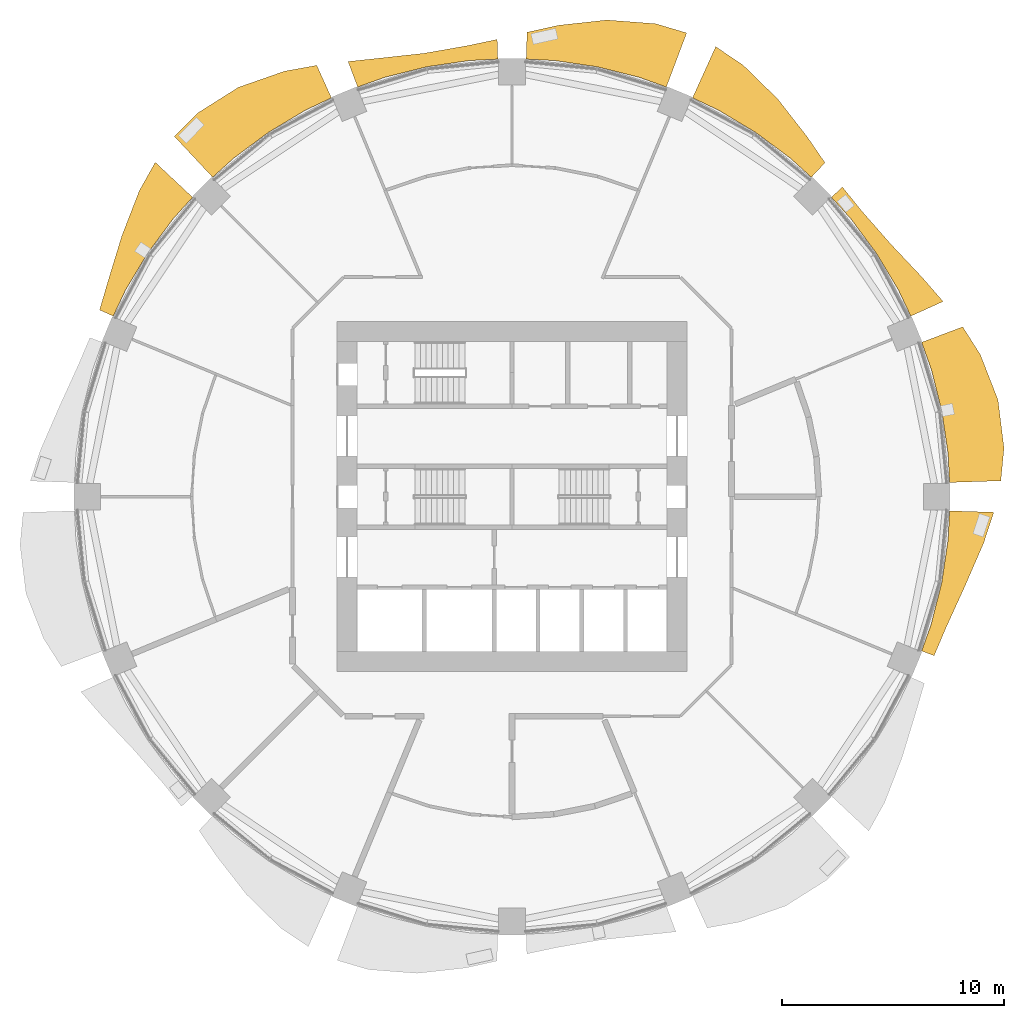
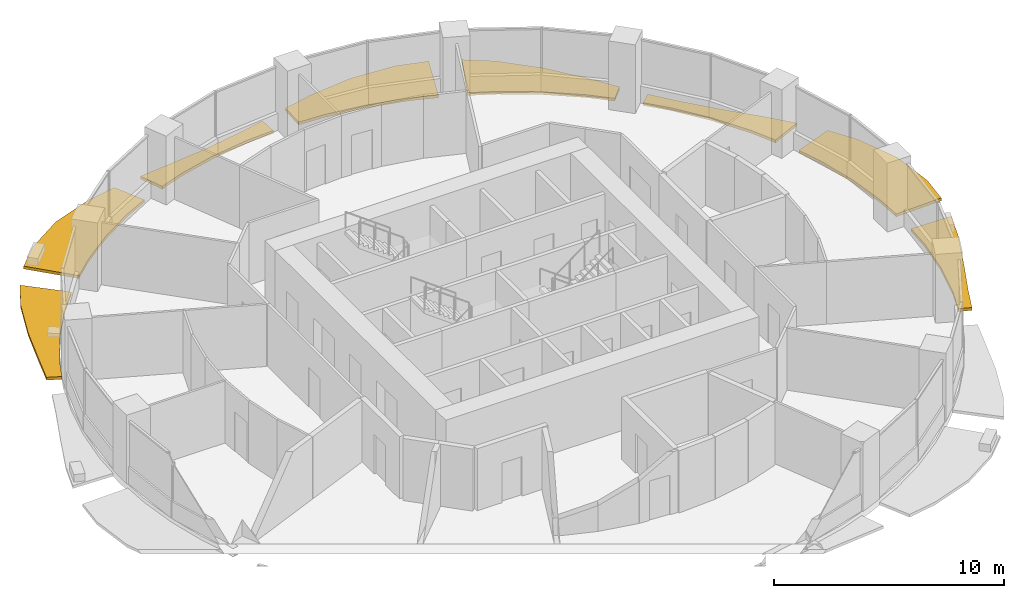
# One storey, part 14 of 15: 8 shading devices.
"""IFC4 building model written with IfcOpenShell, lengths in metres."""

from ifc_helpers import new_model, si_unit, direction, frame, origin, place, context, subcontext, project, spatial, polyline, outline, extrude, material, type_object, element, save


model = new_model("IFC4")

# Units and contexts
model_context = context("Model", 3, precision=1e-05, world=origin(), true_north=direction((0.0, 1.0)))
body_context = subcontext(model_context, "Body", "Model", "MODEL_VIEW")
ifc_project = project(units=[si_unit("LENGTHUNIT", "METRE"), si_unit("AREAUNIT", "SQUARE_METRE"), si_unit("VOLUMEUNIT", "CUBIC_METRE"), si_unit("PLANEANGLEUNIT", "RADIAN"), si_unit("MASSUNIT", "GRAM", prefix="KILO")], contexts=[model_context])

# Site, building, storey
site_placement = place(None, origin())
site = spatial("IfcSite", under=ifc_project, at=site_placement, CompositionType="ELEMENT")
building_placement = place(site_placement, origin())
building = spatial("IfcBuilding", under=site, at=building_placement, Name="Polderwave Tower", CompositionType="ELEMENT")
storey_placement = place(building_placement, frame((0.0, 0.0, 44.449951171875)))
storey = spatial("IfcBuildingStorey", under=building, at=storey_placement, Name="L11", CompositionType="ELEMENT", Elevation=44.449951171875)

# Shading devices
ifc_material = material(Name="Terracotta", Category="masonry")
shading_device_type = type_object("IfcShadingDeviceType", Name="Terracotta sunshade band", PredefinedType="USERDEFINED", material=ifc_material)
shading_device_1_placement = place(storey_placement, frame((0.0, 0.0, -0.349853515625)))
element("IfcShadingDevice", 1, at=shading_device_1_placement, inside=storey, type_object=shading_device_type, Name="Sunshade band L11 1", ObjectType="SUNSHADE", PredefinedType="USERDEFINED", context=body_context, shape_type="SweptSolid", body=[
    extrude(outline(polyline([(19.6787109375, 0.637939453125), (19.614990234375, 1.931884765625), (19.331298828125, 3.84521484375), (18.861328125, 5.721435546875), (18.4248046875, 6.94140625), (20.272216796875, 7.637451171875), (21.064208984375, 6.3896484375), (21.861083984375, 4.348388671875), (22.129638671875, 2.1796875), (21.98828125, 0.712890625), (19.6787109375, 0.637939453125)])), origin(), (0.0, 0.0, 1.0), 0.14990234375),
])
shading_device_2_placement = place(storey_placement, frame((0.0, 0.0, -0.349853515625)))
element("IfcShadingDevice", 2, at=shading_device_2_placement, inside=storey, type_object=shading_device_type, Name="Sunshade band L11 2", ObjectType="SUNSHADE", PredefinedType="USERDEFINED", context=body_context, shape_type="SweptSolid", body=[
    extrude(outline(polyline([(17.9365234375, 8.1201171875), (17.3828125, 9.291259765625), (16.38818359375, 10.9501953125), (15.236083984375, 12.50390625), (14.365966796875, 13.4638671875), (14.86181640625, 13.9287109375), (15.699951171875, 12.884521484375), (17.02392578125, 11.375), (18.4501953125, 9.86181640625), (19.389404296875, 8.777587890625), (17.9365234375, 8.1201171875)])), origin(), (0.0, 0.0, 1.0), 0.14990234375),
])
shading_device_3_placement = place(storey_placement, frame((0.0, 0.0, -0.349853515625)))
element("IfcShadingDevice", 3, at=shading_device_3_placement, inside=storey, type_object=shading_device_type, Name="Sunshade band L11 3", ObjectType="SUNSHADE", PredefinedType="USERDEFINED", context=body_context, shape_type="SweptSolid", body=[
    extrude(outline(polyline([(13.4638671875, 14.365966796875), (12.50390625, 15.236083984375), (10.9501953125, 16.38818359375), (9.291259765625, 17.3828125), (8.1201171875, 17.9365234375), (9.162353515625, 20.239013671875), (10.381103515625, 19.421875), (11.95166015625, 17.88671875), (13.280517578125, 16.182373046875), (14.0771484375, 15.020263671875), (13.4638671875, 14.365966796875)])), origin(), (0.0, 0.0, 1.0), 0.14990234375),
])
shading_device_4_placement = place(storey_placement, frame((0.0, 0.0, -0.349853515625)))
element("IfcShadingDevice", 4, at=shading_device_4_placement, inside=storey, type_object=shading_device_type, Name="Sunshade band L11 4", ObjectType="SUNSHADE", PredefinedType="USERDEFINED", context=body_context, shape_type="SweptSolid", body=[
    extrude(outline(polyline([(6.94140625, 18.4248046875), (5.721435546875, 18.861328125), (3.84521484375, 19.331298828125), (1.931884765625, 19.614990234375), (0.637939453125, 19.6787109375), (0.677001953125, 20.88671875), (2.087890625, 21.2001953125), (4.2646484375, 21.439453125), (6.453369140625, 21.273681640625), (7.85791015625, 20.85791015625), (6.94140625, 18.4248046875)])), origin(), (0.0, 0.0, 1.0), 0.14990234375),
])
shading_device_5_placement = place(storey_placement, frame((0.0, 0.0, -0.349853515625)))
element("IfcShadingDevice", 5, at=shading_device_5_placement, inside=storey, type_object=shading_device_type, Name="Sunshade band L11 5", ObjectType="SUNSHADE", PredefinedType="USERDEFINED", context=body_context, shape_type="SweptSolid", body=[
    extrude(outline(polyline([(-0.637939453125, 19.6787109375), (-1.931884765625, 19.614990234375), (-3.84521484375, 19.331298828125), (-5.721435546875, 18.861328125), (-6.94140625, 18.4248046875), (-7.37353515625, 19.572021484375), (-5.982177734375, 19.720703125), (-3.96630859375, 19.93994140625), (-1.997802734375, 20.28515625), (-0.666748046875, 20.5673828125), (-0.637939453125, 19.6787109375)])), origin(), (0.0, 0.0, 1.0), 0.14990234375),
])
shading_device_6_placement = place(storey_placement, frame((0.0, 0.0, -0.349853515625)))
element("IfcShadingDevice", 6, at=shading_device_6_placement, inside=storey, type_object=shading_device_type, Name="Sunshade band L11 6", ObjectType="SUNSHADE", PredefinedType="USERDEFINED", context=body_context, shape_type="SweptSolid", body=[
    extrude(outline(polyline([(-8.1201171875, 17.9365234375), (-9.291259765625, 17.3828125), (-10.9501953125, 16.38818359375), (-12.50390625, 15.236083984375), (-13.4638671875, 14.365966796875), (-15.187255859375, 16.204833984375), (-14.1533203125, 17.245849609375), (-12.303466796875, 18.413330078125), (-10.22900390625, 19.13720703125), (-8.781982421875, 19.399169921875), (-8.1201171875, 17.9365234375)])), origin(), (0.0, 0.0, 1.0), 0.14990234375),
])
shading_device_7_placement = place(storey_placement, frame((0.0, 0.0, -0.349853515625)))
element("IfcShadingDevice", 7, at=shading_device_7_placement, inside=storey, type_object=shading_device_type, Name="Sunshade band L11 7", ObjectType="SUNSHADE", PredefinedType="USERDEFINED", context=body_context, shape_type="SweptSolid", body=[
    extrude(outline(polyline([(-14.365966796875, 13.4638671875), (-15.236083984375, 12.50390625), (-16.38818359375, 10.9501953125), (-17.3828125, 9.291259765625), (-17.9365234375, 8.1201171875), (-18.54931640625, 8.3974609375), (-18.16552734375, 9.709716796875), (-17.55029296875, 11.726806640625), (-16.763427734375, 13.75732421875), (-16.04638671875, 15.038818359375), (-14.365966796875, 13.4638671875)])), origin(), (0.0, 0.0, 1.0), 0.14990234375),
])
shading_device_8_placement = place(storey_placement, frame((0.0, 0.0, -0.349853515625)))
element("IfcShadingDevice", 8, at=shading_device_8_placement, inside=storey, type_object=shading_device_type, Name="Sunshade band L11 16", ObjectType="SUNSHADE", PredefinedType="USERDEFINED", context=body_context, shape_type="SweptSolid", body=[
    extrude(outline(polyline([(18.4248046875, -6.94140625), (18.861328125, -5.721435546875), (19.331298828125, -3.84521484375), (19.614990234375, -1.931884765625), (19.6787109375, -0.637939453125), (21.668701171875, -0.702392578125), (21.214599609375, -2.089599609375), (20.361572265625, -4.05029296875), (19.510986328125, -5.918701171875), (18.986328125, -7.15283203125), (18.4248046875, -6.94140625)])), origin(), (0.0, 0.0, 1.0), 0.14990234375),
])

save(model, "model.ifc")
